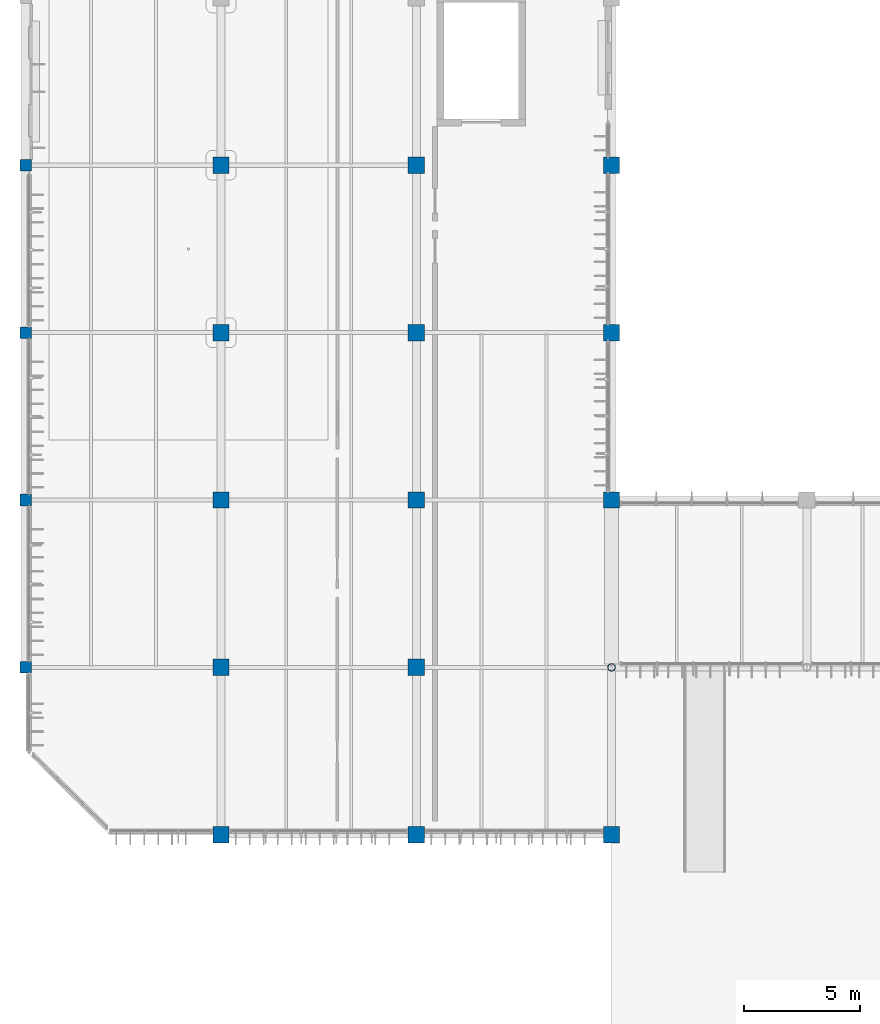
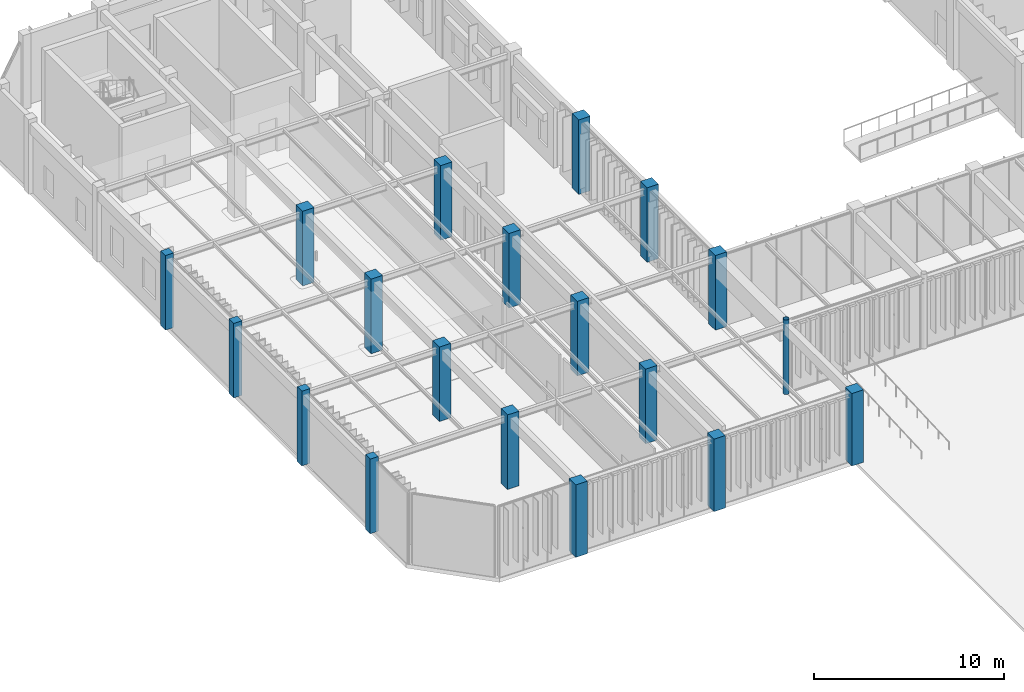
# One storey, part 2 of 122: 19 columns.
"""IFC4 building model written with IfcOpenShell, lengths in metres."""

from ifc_helpers import new_model, si_unit, direction, frame, origin, origin_2d, place, context, subcontext, project, spatial, rectangle, hollow_circle, extrude, material, material_profile, profile_set, type_object, element, save


model = new_model("IFC4")

# Units and contexts
model_context = context("Model", 3, precision=1e-05, world=origin(), true_north=direction((0.0, 1.0)))
body_context = subcontext(model_context, "Body", "Model", "MODEL_VIEW")
ifc_project = project(units=[si_unit("LENGTHUNIT", "METRE"), si_unit("AREAUNIT", "SQUARE_METRE"), si_unit("VOLUMEUNIT", "CUBIC_METRE"), si_unit("PLANEANGLEUNIT", "RADIAN"), si_unit("MASSUNIT", "GRAM", prefix="KILO")], contexts=[model_context])

# Site, building, storey
site_placement = place(None, origin())
site = spatial("IfcSite", under=ifc_project, at=site_placement, CompositionType="ELEMENT")
building_placement = place(site_placement, origin())
building = spatial("IfcBuilding", under=site, at=building_placement, Name="Tazoul Stagehouse", CompositionType="ELEMENT")
storey_placement = place(building_placement, origin())
storey = spatial("IfcBuildingStorey", under=building, at=storey_placement, Name="L00", CompositionType="ELEMENT", Elevation=0.0)

# Columns
ifc_material_1 = material(Name="Concrete C40/50", Category="concrete")
ifc_material_profile_1 = material_profile(ifc_material_1, rectangle(XDim=0.5, YDim=0.5, at=origin_2d()), Name="RC 500x500")
ifc_profile_set_1 = profile_set([ifc_material_profile_1], Name="Concrete C40/50")
column_type_1 = type_object("IfcColumnType", Name="RC Column 500x500 (Exterior)", PredefinedType="COLUMN", material=ifc_profile_set_1)
for number, where, z_axis, x_axis, name in (
    (1, (2.39990234375, 44.60009765625, 0.0), (0.0, 0.0, 1.0), (1.0, 0.0, 0.0), "L00 Column C-02E at 1/G"),
    (2, (2.39990234375, 51.800048828125, 0.0), (0.0, 0.0, 1.0), (1.0, 0.0, 0.0), "L00 Column C-02E at 1/H"),
    (3, (2.39990234375, 59.0, 0.0), (0.0, 0.0, 1.0), (1.0, 0.0, 0.0), "L00 Column C-02E at 1/J"),
    (4, (2.39990234375, 66.199951171875, 0.0), (0.0, 0.0, 1.0), (1.0, 0.0, 0.0), "L00 Column C-02E at 1/K"),
):
    element("IfcColumn", number, at=place(storey_placement, frame(where, z_axis=z_axis, x_axis=x_axis)), inside=storey, type_object=column_type_1, Name=name, PredefinedType="COLUMN", context=body_context, shape_type="SweptSolid", body=[
        extrude(rectangle(XDim=0.5, YDim=0.5, at=origin_2d()), origin(), (0.0, 0.0, 1.0), 4.800048828125),
    ])
ifc_material_profile_2 = material_profile(ifc_material_1, rectangle(XDim=0.699951171875, YDim=0.699951171875, at=origin_2d()), Name="RC 700x700")
ifc_profile_set_2 = profile_set([ifc_material_profile_2], Name="Concrete C40/50")
column_type_2 = type_object("IfcColumnType", Name="RC Column 700x700", PredefinedType="COLUMN", material=ifc_profile_set_2)
for number, where, z_axis, x_axis, name in (
    (5, (10.800048828125, 44.60009765625, 0.0), (0.0, 0.0, 1.0), (1.0, 0.0, 0.0), "L00 Column C-04 at 2/G"),
    (6, (10.800048828125, 51.800048828125, 0.0), (0.0, 0.0, 1.0), (1.0, 0.0, 0.0), "L00 Column C-04 at 2/H"),
    (7, (10.800048828125, 59.0, 0.0), (0.0, 0.0, 1.0), (1.0, 0.0, 0.0), "L00 Column C-04 at 2/J"),
    (8, (10.800048828125, 66.199951171875, 0.0), (0.0, 0.0, 1.0), (1.0, 0.0, 0.0), "L00 Column C-04 at 2/K"),
    (9, (19.199951171875, 44.60009765625, 0.0), (0.0, 0.0, 1.0), (1.0, 0.0, 0.0), "L00 Column C-04 at 3/G"),
    (10, (19.199951171875, 51.800048828125, 0.0), (0.0, 0.0, 1.0), (1.0, 0.0, 0.0), "L00 Column C-04 at 3/H"),
    (11, (19.199951171875, 59.0, 0.0), (0.0, 0.0, 1.0), (1.0, 0.0, 0.0), "L00 Column C-04 at 3/J"),
    (12, (19.199951171875, 66.199951171875, 0.0), (0.0, 0.0, 1.0), (1.0, 0.0, 0.0), "L00 Column C-04 at 3/K"),
):
    element("IfcColumn", number, at=place(storey_placement, frame(where, z_axis=z_axis, x_axis=x_axis)), inside=storey, type_object=column_type_2, Name=name, PredefinedType="COLUMN", context=body_context, shape_type="SweptSolid", body=[
        extrude(rectangle(XDim=0.699951171875, YDim=0.699951171875, at=origin_2d()), origin(), (0.0, 0.0, 1.0), 4.800048828125),
    ])
ifc_material_profile_3 = material_profile(ifc_material_1, rectangle(XDim=0.699951171875, YDim=0.699951171875, at=origin_2d()), Name="RC 700x700")
ifc_profile_set_3 = profile_set([ifc_material_profile_3], Name="Concrete C40/50")
column_type_3 = type_object("IfcColumnType", Name="RC Column 700x700 (Exterior)", PredefinedType="COLUMN", material=ifc_profile_set_3)
for number, where, z_axis, x_axis, name in (
    (13, (10.800048828125, 37.39990234375, 0.0), (0.0, 0.0, 1.0), (1.0, 0.0, 0.0), "L00 Column C-04E at 2/F"),
    (14, (19.199951171875, 37.39990234375, 0.0), (0.0, 0.0, 1.0), (1.0, 0.0, 0.0), "L00 Column C-04E at 3/F"),
    (15, (27.60009765625, 37.39990234375, 0.0), (0.0, 0.0, 1.0), (1.0, 0.0, 0.0), "L00 Column C-04E at 4/F"),
):
    element("IfcColumn", number, at=place(storey_placement, frame(where, z_axis=z_axis, x_axis=x_axis)), inside=storey, type_object=column_type_3, Name=name, PredefinedType="COLUMN", context=body_context, shape_type="SweptSolid", body=[
        extrude(rectangle(XDim=0.699951171875, YDim=0.699951171875, at=origin_2d()), origin(), (0.0, 0.0, 1.0), 4.659912109375),
    ])
for number, where, z_axis, x_axis, name in (
    (16, (27.60009765625, 51.800048828125, 0.0), (0.0, 0.0, 1.0), (1.0, 0.0, 0.0), "L00 Column C-04E at 4/H"),
    (17, (27.60009765625, 59.0, 0.0), (0.0, 0.0, 1.0), (1.0, 0.0, 0.0), "L00 Column C-04E at 4/J"),
    (18, (27.60009765625, 66.199951171875, 0.0), (0.0, 0.0, 1.0), (1.0, 0.0, 0.0), "L00 Column C-04E at 4/K"),
):
    element("IfcColumn", number, at=place(storey_placement, frame(where, z_axis=z_axis, x_axis=x_axis)), inside=storey, type_object=column_type_3, Name=name, PredefinedType="COLUMN", context=body_context, shape_type="SweptSolid", body=[
        extrude(rectangle(XDim=0.699951171875, YDim=0.699951171875, at=origin_2d()), origin(), (0.0, 0.0, 1.0), 4.800048828125),
    ])
ifc_material_2 = material(Name="Steel S355", Category="steel")
ifc_material_profile_4 = material_profile(ifc_material_2, hollow_circle(Radius=0.161865234375, WallThickness=0.012451171875, at=origin_2d()), Name="CHS 323.9x12.5")
ifc_profile_set_4 = profile_set([ifc_material_profile_4], Name="Steel S355")
column_type_4 = type_object("IfcColumnType", Name="Steel Arcade Column CHS 323.9x12.5 (Exterior)", PredefinedType="COLUMN", material=ifc_profile_set_4)
column_placement = place(storey_placement, frame((27.60009765625, 44.60009765625, 0.0), z_axis=(0.0, 0.0, 1.0), x_axis=(1.0, 0.0, 0.0)))
element("IfcColumn", 19, at=column_placement, inside=storey, type_object=column_type_4, Name="L00 Column SC-07E at 4/G", PredefinedType="COLUMN", context=body_context, shape_type="SweptSolid", body=[
    extrude(hollow_circle(Radius=0.161865234375, WallThickness=0.012451171875, at=origin_2d()), origin(), (0.0, 0.0, 1.0), 4.800048828125),
])

save(model, "model.ifc")
